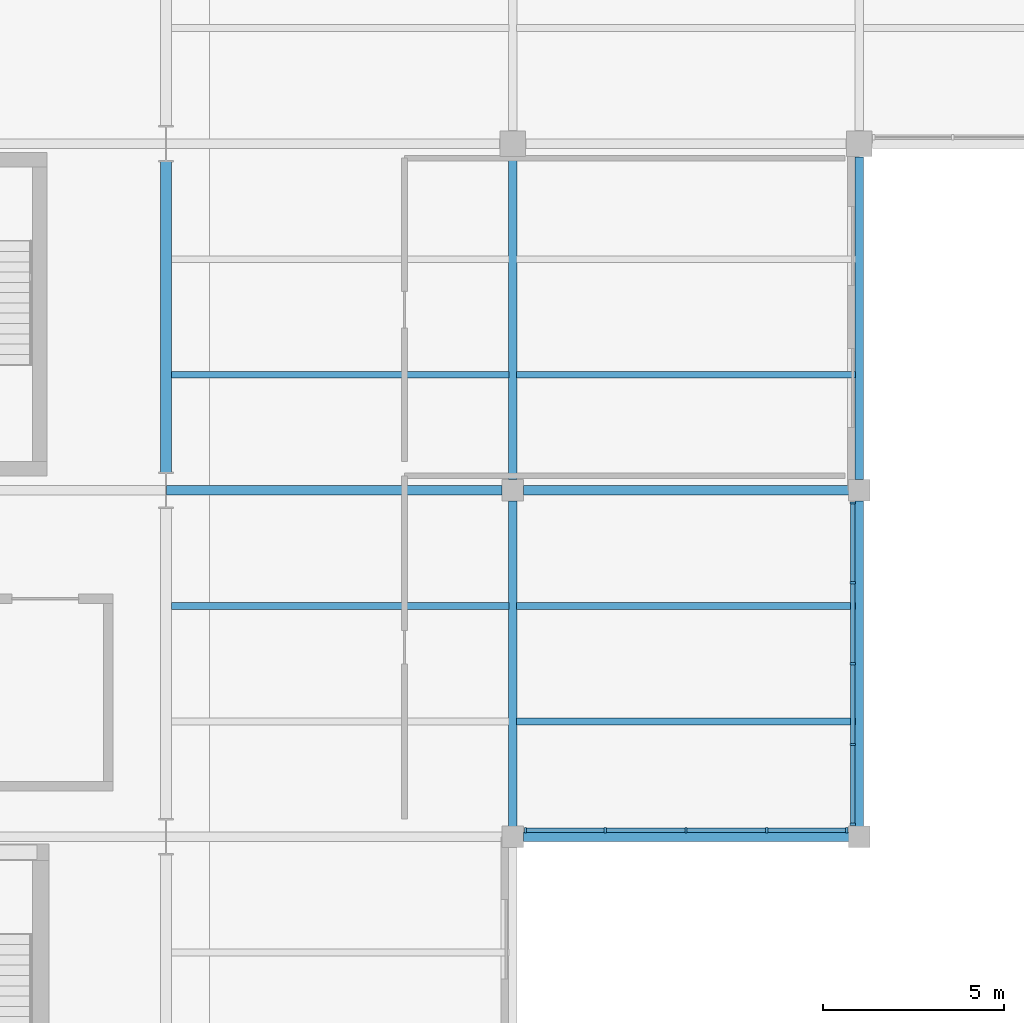
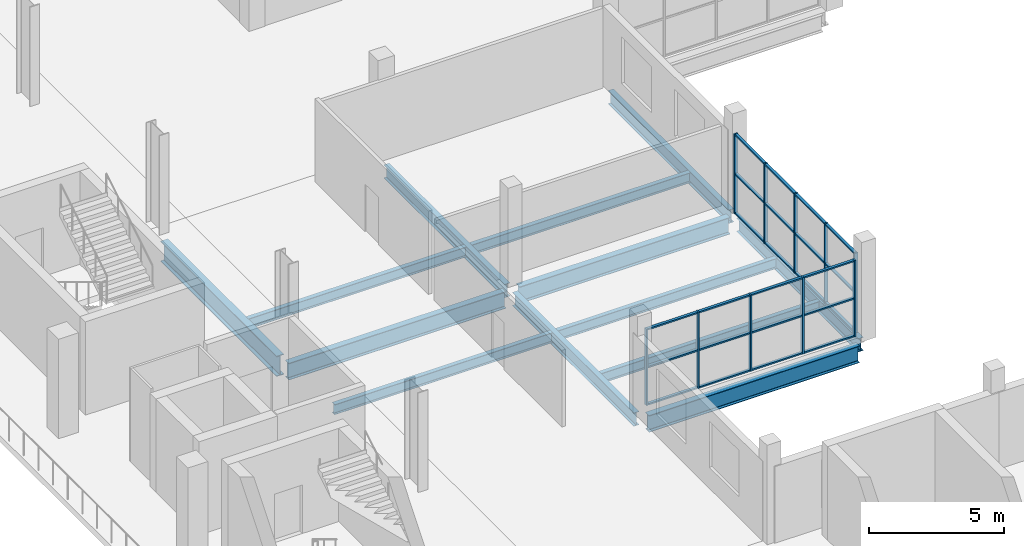
# One storey, part 28 of 92: 34 members, 13 beams, 2 elements without a shape of their own.
"""IFC4 building model written with IfcOpenShell, lengths in metres."""

from ifc_helpers import new_model, si_unit, direction, frame, origin, origin_2d, place, context, subcontext, project, spatial, rectangle, i_section, extrude, material, layer, layer_set, material_profile, profile_set, type_object, element, aggregate, save


model = new_model("IFC4")

# Units and contexts
model_context = context("Model", 3, precision=1e-05, world=origin(), true_north=direction((0.0, 1.0)))
body_context = subcontext(model_context, "Body", "Model", "MODEL_VIEW")
ifc_project = project(units=[si_unit("LENGTHUNIT", "METRE"), si_unit("AREAUNIT", "SQUARE_METRE"), si_unit("VOLUMEUNIT", "CUBIC_METRE"), si_unit("PLANEANGLEUNIT", "RADIAN"), si_unit("MASSUNIT", "GRAM", prefix="KILO")], contexts=[model_context])

# Site, building, storey
site_placement = place(None, origin())
site = spatial("IfcSite", under=ifc_project, at=site_placement, CompositionType="ELEMENT")
building_placement = place(site_placement, origin())
building = spatial("IfcBuilding", under=site, at=building_placement, Name="Caelomonte Colonnade Arena", CompositionType="ELEMENT")
storey_placement = place(building_placement, frame((0.0, 0.0, 9.60009765625)))
storey = spatial("IfcBuildingStorey", under=building, at=storey_placement, Name="L02", CompositionType="ELEMENT", Elevation=9.60009765625)

# Curtain wall, members
ifc_material_1 = material(Name="Bronze anodised aluminium and low-E glazing", Category="aluminium")
ifc_layer_1 = layer(ifc_material_1, 0.179931640625)
ifc_layer_set_1 = layer_set([ifc_layer_1], Name="Bronze anodised aluminium and low-E glazing")
curtain_wall_type_1 = type_object("IfcCurtainWallType", Name="ENV-CW-CW-L02-96-35", PredefinedType="USERDEFINED", material=ifc_layer_set_1)
curtain_wall_1_placement = place(storey_placement, origin())
curtain_wall_1 = element("IfcCurtainWall", 1, at=curtain_wall_1_placement, inside=storey, type_object=curtain_wall_type_1, Name="L02 unitized curtain wall CW-L02-1776-0482", ObjectType="UNITIZED CURTAIN WALL", PredefinedType="USERDEFINED")
ifc_material_2 = material(Name="Bronze anodised aluminium AA6063-T6", Category="aluminium")
ifc_material_profile_1 = material_profile(ifc_material_2, rectangle(XDim=0.06494140625, YDim=0.14990234375, at=origin_2d()), Name="CWM-65X150")
ifc_profile_set_1 = profile_set([ifc_material_profile_1], Name="Bronze anodised aluminium AA6063-T6")
member_type_1 = type_object("IfcMemberType", Name="ENV-CW-MULL2", PredefinedType="MULLION", material=ifc_profile_set_1)
member_1_placement = place(storey_placement, frame((173.152587890625, 48.179931640625, 0.0), z_axis=(0.0, 0.0, 1.0), x_axis=(1.0, 0.0, 0.0)))
member_1 = element("IfcMember", 2, at=member_1_placement, type_object=member_type_1, Name="CW-L02-96-35 mullion 1", PredefinedType="MULLION", context=body_context, shape_type="SweptSolid", body=[
    extrude(rectangle(XDim=0.06494140625, YDim=0.14990234375, at=origin_2d()), origin(), (0.0, 0.0, 1.0), 3.465576171875),
])
member_2_placement = place(storey_placement, frame((175.360107421875, 48.179931640625, 0.0), z_axis=(0.0, 0.0, 1.0), x_axis=(1.0, 0.0, 0.0)))
member_2 = element("IfcMember", 3, at=member_2_placement, type_object=member_type_1, Name="CW-L02-96-35 mullion 2", PredefinedType="MULLION", context=body_context, shape_type="SweptSolid", body=[
    extrude(rectangle(XDim=0.06494140625, YDim=0.14990234375, at=origin_2d()), origin(), (0.0, 0.0, 1.0), 3.465576171875),
])
member_3_placement = place(storey_placement, frame((177.60009765625, 48.179931640625, 0.0), z_axis=(0.0, 0.0, 1.0), x_axis=(1.0, 0.0, 0.0)))
member_3 = element("IfcMember", 4, at=member_3_placement, type_object=member_type_1, Name="CW-L02-96-35 mullion 3", PredefinedType="MULLION", context=body_context, shape_type="SweptSolid", body=[
    extrude(rectangle(XDim=0.06494140625, YDim=0.14990234375, at=origin_2d()), origin(), (0.0, 0.0, 1.0), 3.465576171875),
])
member_4_placement = place(storey_placement, frame((179.840087890625, 48.179931640625, 0.0), z_axis=(0.0, 0.0, 1.0), x_axis=(1.0, 0.0, 0.0)))
member_4 = element("IfcMember", 5, at=member_4_placement, type_object=member_type_1, Name="CW-L02-96-35 mullion 4", PredefinedType="MULLION", context=body_context, shape_type="SweptSolid", body=[
    extrude(rectangle(XDim=0.06494140625, YDim=0.14990234375, at=origin_2d()), origin(), (0.0, 0.0, 1.0), 3.465576171875),
])
member_5_placement = place(storey_placement, frame((182.047607421875, 48.179931640625, 0.0), z_axis=(0.0, 0.0, 1.0), x_axis=(1.0, 0.0, 0.0)))
member_5 = element("IfcMember", 6, at=member_5_placement, type_object=member_type_1, Name="CW-L02-96-35 mullion 5", PredefinedType="MULLION", context=body_context, shape_type="SweptSolid", body=[
    extrude(rectangle(XDim=0.06494140625, YDim=0.14990234375, at=origin_2d()), origin(), (0.0, 0.0, 1.0), 3.465576171875),
])

ifc_layer_2 = layer(ifc_material_1, 0.179931640625)
ifc_layer_set_2 = layer_set([ifc_layer_2], Name="Bronze anodised aluminium and low-E glazing")
curtain_wall_type_2 = type_object("IfcCurtainWallType", Name="ENV-CW-CW-L02-96-36", PredefinedType="USERDEFINED", material=ifc_layer_set_2)
curtain_wall_2_placement = place(storey_placement, origin())
curtain_wall_2 = element("IfcCurtainWall", 7, at=curtain_wall_2_placement, inside=storey, type_object=curtain_wall_type_2, Name="L02 unitized curtain wall CW-L02-1822-0528", ObjectType="UNITIZED CURTAIN WALL", PredefinedType="USERDEFINED")
member_6_placement = place(storey_placement, frame((182.219970703125, 48.3525390625, 0.0), z_axis=(0.0, 0.0, 1.0), x_axis=(0.0, 1.0, 0.0)))
member_6 = element("IfcMember", 8, at=member_6_placement, type_object=member_type_1, Name="CW-L02-96-36 mullion 1", PredefinedType="MULLION", context=body_context, shape_type="SweptSolid", body=[
    extrude(rectangle(XDim=0.06494140625, YDim=0.14990234375, at=origin_2d()), origin(), (0.0, 0.0, 1.0), 3.61279296875),
])
member_7_placement = place(storey_placement, frame((182.219970703125, 50.56005859375, 0.0), z_axis=(0.0, 0.0, 1.0), x_axis=(0.0, 1.0, 0.0)))
member_7 = element("IfcMember", 9, at=member_7_placement, type_object=member_type_1, Name="CW-L02-96-36 mullion 2", PredefinedType="MULLION", context=body_context, shape_type="SweptSolid", body=[
    extrude(rectangle(XDim=0.06494140625, YDim=0.14990234375, at=origin_2d()), origin(), (0.0, 0.0, 1.0), 3.61279296875),
])
member_8_placement = place(storey_placement, frame((182.219970703125, 52.800048828125, 0.0), z_axis=(0.0, 0.0, 1.0), x_axis=(0.0, 1.0, 0.0)))
member_8 = element("IfcMember", 10, at=member_8_placement, type_object=member_type_1, Name="CW-L02-96-36 mullion 3", PredefinedType="MULLION", context=body_context, shape_type="SweptSolid", body=[
    extrude(rectangle(XDim=0.06494140625, YDim=0.14990234375, at=origin_2d()), origin(), (0.0, 0.0, 1.0), 3.61279296875),
])
member_9_placement = place(storey_placement, frame((182.219970703125, 55.0400390625, 0.0), z_axis=(0.0, 0.0, 1.0), x_axis=(0.0, 1.0, 0.0)))
member_9 = element("IfcMember", 11, at=member_9_placement, type_object=member_type_1, Name="CW-L02-96-36 mullion 4", PredefinedType="MULLION", context=body_context, shape_type="SweptSolid", body=[
    extrude(rectangle(XDim=0.06494140625, YDim=0.14990234375, at=origin_2d()), origin(), (0.0, 0.0, 1.0), 3.61279296875),
])
member_10_placement = place(storey_placement, frame((182.219970703125, 57.24755859375, 0.0), z_axis=(0.0, 0.0, 1.0), x_axis=(0.0, 1.0, 0.0)))
member_10 = element("IfcMember", 12, at=member_10_placement, type_object=member_type_1, Name="CW-L02-96-36 mullion 5", PredefinedType="MULLION", context=body_context, shape_type="SweptSolid", body=[
    extrude(rectangle(XDim=0.06494140625, YDim=0.14990234375, at=origin_2d()), origin(), (0.0, 0.0, 1.0), 3.61279296875),
])

# Member
ifc_material_profile_2 = material_profile(ifc_material_2, rectangle(XDim=0.06494140625, YDim=0.1201171875, at=origin_2d()), Name="CWT-65X120")
ifc_profile_set_2 = profile_set([ifc_material_profile_2], Name="Bronze anodised aluminium AA6063-T6")
member_type_2 = type_object("IfcMemberType", Name="ENV-CW-TRAN2", PredefinedType="USERDEFINED", material=ifc_profile_set_2)
member_11_placement = place(storey_placement, frame((173.18505859375, 48.179931640625, 0.032470703125), z_axis=(1.0, 0.0, 0.0), x_axis=(0.0, 0.0, 1.0)))
member_11 = element("IfcMember", 13, at=member_11_placement, type_object=member_type_2, Name="CW-L02-96-35 transom 1.1", ObjectType="TRANSOM", PredefinedType="USERDEFINED", context=body_context, shape_type="SweptSolid", body=[
    extrude(rectangle(XDim=0.06494140625, YDim=0.1201171875, at=origin_2d()), origin(), (0.0, 0.0, 1.0), 2.142333984375),
])

member_12_placement = place(storey_placement, frame((173.18505859375, 48.179931640625, 1.732666015625), z_axis=(1.0, 0.0, 0.0), x_axis=(0.0, 0.0, 1.0)))
member_12 = element("IfcMember", 14, at=member_12_placement, type_object=member_type_2, Name="CW-L02-96-35 transom 1.2", ObjectType="TRANSOM", PredefinedType="USERDEFINED", context=body_context, shape_type="SweptSolid", body=[
    extrude(rectangle(XDim=0.06494140625, YDim=0.1201171875, at=origin_2d()), origin(), (0.0, 0.0, 1.0), 2.142333984375),
])

member_13_placement = place(storey_placement, frame((173.18505859375, 48.179931640625, 3.43310546875), z_axis=(1.0, 0.0, 0.0), x_axis=(0.0, 0.0, 1.0)))
member_13 = element("IfcMember", 15, at=member_13_placement, type_object=member_type_2, Name="CW-L02-96-35 transom 1.3", ObjectType="TRANSOM", PredefinedType="USERDEFINED", context=body_context, shape_type="SweptSolid", body=[
    extrude(rectangle(XDim=0.06494140625, YDim=0.1201171875, at=origin_2d()), origin(), (0.0, 0.0, 1.0), 2.142333984375),
])

member_14_placement = place(storey_placement, frame((175.392578125, 48.179931640625, 0.032470703125), z_axis=(1.0, 0.0, 0.0), x_axis=(0.0, 0.0, 1.0)))
member_14 = element("IfcMember", 16, at=member_14_placement, type_object=member_type_2, Name="CW-L02-96-35 transom 2.1", ObjectType="TRANSOM", PredefinedType="USERDEFINED", context=body_context, shape_type="SweptSolid", body=[
    extrude(rectangle(XDim=0.06494140625, YDim=0.1201171875, at=origin_2d()), origin(), (0.0, 0.0, 1.0), 2.1748046875),
])

member_15_placement = place(storey_placement, frame((175.392578125, 48.179931640625, 1.732666015625), z_axis=(1.0, 0.0, 0.0), x_axis=(0.0, 0.0, 1.0)))
member_15 = element("IfcMember", 17, at=member_15_placement, type_object=member_type_2, Name="CW-L02-96-35 transom 2.2", ObjectType="TRANSOM", PredefinedType="USERDEFINED", context=body_context, shape_type="SweptSolid", body=[
    extrude(rectangle(XDim=0.06494140625, YDim=0.1201171875, at=origin_2d()), origin(), (0.0, 0.0, 1.0), 2.1748046875),
])

member_16_placement = place(storey_placement, frame((175.392578125, 48.179931640625, 3.43310546875), z_axis=(1.0, 0.0, 0.0), x_axis=(0.0, 0.0, 1.0)))
member_16 = element("IfcMember", 18, at=member_16_placement, type_object=member_type_2, Name="CW-L02-96-35 transom 2.3", ObjectType="TRANSOM", PredefinedType="USERDEFINED", context=body_context, shape_type="SweptSolid", body=[
    extrude(rectangle(XDim=0.06494140625, YDim=0.1201171875, at=origin_2d()), origin(), (0.0, 0.0, 1.0), 2.1748046875),
])

member_17_placement = place(storey_placement, frame((177.632568359375, 48.179931640625, 0.032470703125), z_axis=(1.0, 0.0, 0.0), x_axis=(0.0, 0.0, 1.0)))
member_17 = element("IfcMember", 19, at=member_17_placement, type_object=member_type_2, Name="CW-L02-96-35 transom 3.1", ObjectType="TRANSOM", PredefinedType="USERDEFINED", context=body_context, shape_type="SweptSolid", body=[
    extrude(rectangle(XDim=0.06494140625, YDim=0.1201171875, at=origin_2d()), origin(), (0.0, 0.0, 1.0), 2.175048828125),
])

member_18_placement = place(storey_placement, frame((177.632568359375, 48.179931640625, 1.732666015625), z_axis=(1.0, 0.0, 0.0), x_axis=(0.0, 0.0, 1.0)))
member_18 = element("IfcMember", 20, at=member_18_placement, type_object=member_type_2, Name="CW-L02-96-35 transom 3.2", ObjectType="TRANSOM", PredefinedType="USERDEFINED", context=body_context, shape_type="SweptSolid", body=[
    extrude(rectangle(XDim=0.06494140625, YDim=0.1201171875, at=origin_2d()), origin(), (0.0, 0.0, 1.0), 2.175048828125),
])

member_19_placement = place(storey_placement, frame((177.632568359375, 48.179931640625, 3.43310546875), z_axis=(1.0, 0.0, 0.0), x_axis=(0.0, 0.0, 1.0)))
member_19 = element("IfcMember", 21, at=member_19_placement, type_object=member_type_2, Name="CW-L02-96-35 transom 3.3", ObjectType="TRANSOM", PredefinedType="USERDEFINED", context=body_context, shape_type="SweptSolid", body=[
    extrude(rectangle(XDim=0.06494140625, YDim=0.1201171875, at=origin_2d()), origin(), (0.0, 0.0, 1.0), 2.175048828125),
])

member_20_placement = place(storey_placement, frame((179.87255859375, 48.179931640625, 0.032470703125), z_axis=(1.0, 0.0, 0.0), x_axis=(0.0, 0.0, 1.0)))
member_20 = element("IfcMember", 22, at=member_20_placement, type_object=member_type_2, Name="CW-L02-96-35 transom 4.1", ObjectType="TRANSOM", PredefinedType="USERDEFINED", context=body_context, shape_type="SweptSolid", body=[
    extrude(rectangle(XDim=0.06494140625, YDim=0.1201171875, at=origin_2d()), origin(), (0.0, 0.0, 1.0), 2.142333984375),
])

member_21_placement = place(storey_placement, frame((179.87255859375, 48.179931640625, 1.732666015625), z_axis=(1.0, 0.0, 0.0), x_axis=(0.0, 0.0, 1.0)))
member_21 = element("IfcMember", 23, at=member_21_placement, type_object=member_type_2, Name="CW-L02-96-35 transom 4.2", ObjectType="TRANSOM", PredefinedType="USERDEFINED", context=body_context, shape_type="SweptSolid", body=[
    extrude(rectangle(XDim=0.06494140625, YDim=0.1201171875, at=origin_2d()), origin(), (0.0, 0.0, 1.0), 2.142333984375),
])

member_22_placement = place(storey_placement, frame((179.87255859375, 48.179931640625, 3.43310546875), z_axis=(1.0, 0.0, 0.0), x_axis=(0.0, 0.0, 1.0)))
member_22 = element("IfcMember", 24, at=member_22_placement, type_object=member_type_2, Name="CW-L02-96-35 transom 4.3", ObjectType="TRANSOM", PredefinedType="USERDEFINED", context=body_context, shape_type="SweptSolid", body=[
    extrude(rectangle(XDim=0.06494140625, YDim=0.1201171875, at=origin_2d()), origin(), (0.0, 0.0, 1.0), 2.142333984375),
])

aggregate(curtain_wall_1, [member_1, member_2, member_3, member_4, member_5, member_11, member_12, member_13, member_14, member_15, member_16, member_17, member_18, member_19, member_20, member_21, member_22])

member_23_placement = place(storey_placement, frame((182.219970703125, 48.385009765625, 0.032470703125), z_axis=(0.0, 1.0, 0.0), x_axis=(0.0, 0.0, 1.0)))
member_23 = element("IfcMember", 25, at=member_23_placement, type_object=member_type_2, Name="CW-L02-96-36 transom 1.1", ObjectType="TRANSOM", PredefinedType="USERDEFINED", context=body_context, shape_type="SweptSolid", body=[
    extrude(rectangle(XDim=0.06494140625, YDim=0.1201171875, at=origin_2d()), origin(), (0.0, 0.0, 1.0), 2.142578125),
])

member_24_placement = place(storey_placement, frame((182.219970703125, 48.385009765625, 1.806396484375), z_axis=(0.0, 1.0, 0.0), x_axis=(0.0, 0.0, 1.0)))
member_24 = element("IfcMember", 26, at=member_24_placement, type_object=member_type_2, Name="CW-L02-96-36 transom 1.2", ObjectType="TRANSOM", PredefinedType="USERDEFINED", context=body_context, shape_type="SweptSolid", body=[
    extrude(rectangle(XDim=0.06494140625, YDim=0.1201171875, at=origin_2d()), origin(), (0.0, 0.0, 1.0), 2.142578125),
])

member_25_placement = place(storey_placement, frame((182.219970703125, 48.385009765625, 3.580322265625), z_axis=(0.0, 1.0, 0.0), x_axis=(0.0, 0.0, 1.0)))
member_25 = element("IfcMember", 27, at=member_25_placement, type_object=member_type_2, Name="CW-L02-96-36 transom 1.3", ObjectType="TRANSOM", PredefinedType="USERDEFINED", context=body_context, shape_type="SweptSolid", body=[
    extrude(rectangle(XDim=0.06494140625, YDim=0.1201171875, at=origin_2d()), origin(), (0.0, 0.0, 1.0), 2.142578125),
])

member_26_placement = place(storey_placement, frame((182.219970703125, 50.592529296875, 0.032470703125), z_axis=(0.0, 1.0, 0.0), x_axis=(0.0, 0.0, 1.0)))
member_26 = element("IfcMember", 28, at=member_26_placement, type_object=member_type_2, Name="CW-L02-96-36 transom 2.1", ObjectType="TRANSOM", PredefinedType="USERDEFINED", context=body_context, shape_type="SweptSolid", body=[
    extrude(rectangle(XDim=0.06494140625, YDim=0.1201171875, at=origin_2d()), origin(), (0.0, 0.0, 1.0), 2.175048828125),
])

member_27_placement = place(storey_placement, frame((182.219970703125, 50.592529296875, 1.806396484375), z_axis=(0.0, 1.0, 0.0), x_axis=(0.0, 0.0, 1.0)))
member_27 = element("IfcMember", 29, at=member_27_placement, type_object=member_type_2, Name="CW-L02-96-36 transom 2.2", ObjectType="TRANSOM", PredefinedType="USERDEFINED", context=body_context, shape_type="SweptSolid", body=[
    extrude(rectangle(XDim=0.06494140625, YDim=0.1201171875, at=origin_2d()), origin(), (0.0, 0.0, 1.0), 2.175048828125),
])

member_28_placement = place(storey_placement, frame((182.219970703125, 50.592529296875, 3.580322265625), z_axis=(0.0, 1.0, 0.0), x_axis=(0.0, 0.0, 1.0)))
member_28 = element("IfcMember", 30, at=member_28_placement, type_object=member_type_2, Name="CW-L02-96-36 transom 2.3", ObjectType="TRANSOM", PredefinedType="USERDEFINED", context=body_context, shape_type="SweptSolid", body=[
    extrude(rectangle(XDim=0.06494140625, YDim=0.1201171875, at=origin_2d()), origin(), (0.0, 0.0, 1.0), 2.175048828125),
])

member_29_placement = place(storey_placement, frame((182.219970703125, 52.83251953125, 0.032470703125), z_axis=(0.0, 1.0, 0.0), x_axis=(0.0, 0.0, 1.0)))
member_29 = element("IfcMember", 31, at=member_29_placement, type_object=member_type_2, Name="CW-L02-96-36 transom 3.1", ObjectType="TRANSOM", PredefinedType="USERDEFINED", context=body_context, shape_type="SweptSolid", body=[
    extrude(rectangle(XDim=0.06494140625, YDim=0.1201171875, at=origin_2d()), origin(), (0.0, 0.0, 1.0), 2.175048828125),
])

member_30_placement = place(storey_placement, frame((182.219970703125, 52.83251953125, 1.806396484375), z_axis=(0.0, 1.0, 0.0), x_axis=(0.0, 0.0, 1.0)))
member_30 = element("IfcMember", 32, at=member_30_placement, type_object=member_type_2, Name="CW-L02-96-36 transom 3.2", ObjectType="TRANSOM", PredefinedType="USERDEFINED", context=body_context, shape_type="SweptSolid", body=[
    extrude(rectangle(XDim=0.06494140625, YDim=0.1201171875, at=origin_2d()), origin(), (0.0, 0.0, 1.0), 2.175048828125),
])

member_31_placement = place(storey_placement, frame((182.219970703125, 52.83251953125, 3.580322265625), z_axis=(0.0, 1.0, 0.0), x_axis=(0.0, 0.0, 1.0)))
member_31 = element("IfcMember", 33, at=member_31_placement, type_object=member_type_2, Name="CW-L02-96-36 transom 3.3", ObjectType="TRANSOM", PredefinedType="USERDEFINED", context=body_context, shape_type="SweptSolid", body=[
    extrude(rectangle(XDim=0.06494140625, YDim=0.1201171875, at=origin_2d()), origin(), (0.0, 0.0, 1.0), 2.175048828125),
])

member_32_placement = place(storey_placement, frame((182.219970703125, 55.072509765625, 0.032470703125), z_axis=(0.0, 1.0, 0.0), x_axis=(0.0, 0.0, 1.0)))
member_32 = element("IfcMember", 34, at=member_32_placement, type_object=member_type_2, Name="CW-L02-96-36 transom 4.1", ObjectType="TRANSOM", PredefinedType="USERDEFINED", context=body_context, shape_type="SweptSolid", body=[
    extrude(rectangle(XDim=0.06494140625, YDim=0.1201171875, at=origin_2d()), origin(), (0.0, 0.0, 1.0), 2.142578125),
])

member_33_placement = place(storey_placement, frame((182.219970703125, 55.072509765625, 1.806396484375), z_axis=(0.0, 1.0, 0.0), x_axis=(0.0, 0.0, 1.0)))
member_33 = element("IfcMember", 35, at=member_33_placement, type_object=member_type_2, Name="CW-L02-96-36 transom 4.2", ObjectType="TRANSOM", PredefinedType="USERDEFINED", context=body_context, shape_type="SweptSolid", body=[
    extrude(rectangle(XDim=0.06494140625, YDim=0.1201171875, at=origin_2d()), origin(), (0.0, 0.0, 1.0), 2.142578125),
])

member_34_placement = place(storey_placement, frame((182.219970703125, 55.072509765625, 3.580322265625), z_axis=(0.0, 1.0, 0.0), x_axis=(0.0, 0.0, 1.0)))
member_34 = element("IfcMember", 36, at=member_34_placement, type_object=member_type_2, Name="CW-L02-96-36 transom 4.3", ObjectType="TRANSOM", PredefinedType="USERDEFINED", context=body_context, shape_type="SweptSolid", body=[
    extrude(rectangle(XDim=0.06494140625, YDim=0.1201171875, at=origin_2d()), origin(), (0.0, 0.0, 1.0), 2.142578125),
])

aggregate(curtain_wall_2, [member_6, member_7, member_8, member_9, member_10, member_23, member_24, member_25, member_26, member_27, member_28, member_29, member_30, member_31, member_32, member_33, member_34])

# Beams
ifc_material_3 = material(Name="Wide-flange steel ASTM A992 Grade 50", Category="steel")
ifc_material_profile_3 = material_profile(ifc_material_3, i_section(OverallWidth=0.307861328125, OverallDepth=0.927001953125, WebThickness=0.019287109375, FlangeThickness=0.031982421875, FilletRadius=0.020263671875, at=origin_2d()), Name="W36X194")
ifc_profile_set_3 = profile_set([ifc_material_profile_3], Name="Wide-flange steel ASTM A992 Grade 50")
beam_type_1 = type_object("IfcBeamType", Name="STR-BM-EAVES2", PredefinedType="SPANDREL", material=ifc_profile_set_3)
beam_1_placement = place(storey_placement, frame((163.199951171875, 58.097412109375, -0.74365234375), z_axis=(0.0, 1.0, 0.0), x_axis=(-1.0, 0.0, 0.0)))
element("IfcBeam", 37, at=beam_1_placement, inside=storey, type_object=beam_type_1, Name="L02 girder BMY-L02-1632-0576", PredefinedType="SPANDREL", context=body_context, shape_type="SweptSolid", body=[
    extrude(i_section(OverallWidth=0.307861328125, OverallDepth=0.927001953125, WebThickness=0.019287109375, FlangeThickness=0.031982421875, FilletRadius=0.020263671875, at=origin_2d()), origin(), (0.0, 0.0, 1.0), 8.605224609375),
])
ifc_material_profile_4 = material_profile(ifc_material_3, i_section(OverallWidth=0.228271484375, OverallDepth=0.607177734375, WebThickness=0.01123046875, FlangeThickness=0.017333984375, FilletRadius=0.0126953125, at=origin_2d()), Name="W24X76")
ifc_profile_set_4 = profile_set([ifc_material_profile_4], Name="Wide-flange steel ASTM A992 Grade 50")
beam_type_2 = type_object("IfcBeamType", Name="STR-BM-GIRD24", PredefinedType="BEAM", material=ifc_profile_set_4)
beam_2_placement = place(storey_placement, frame((172.800048828125, 48.2919921875, -0.58349609375), z_axis=(0.0, 1.0, 0.0), x_axis=(-1.0, 0.0, 0.0)))
element("IfcBeam", 38, at=beam_2_placement, inside=storey, type_object=beam_type_2, Name="L02 girder BMY-L02-1728-0480", PredefinedType="BEAM", context=body_context, shape_type="SweptSolid", body=[
    extrude(i_section(OverallWidth=0.228271484375, OverallDepth=0.607177734375, WebThickness=0.01123046875, FlangeThickness=0.017333984375, FilletRadius=0.0126953125, at=origin_2d()), origin(), (0.0, 0.0, 1.0), 9.01611328125),
])
beam_3_placement = place(storey_placement, frame((172.800048828125, 57.89208984375, -0.58349609375), z_axis=(0.0, 1.0, 0.0), x_axis=(-1.0, 0.0, 0.0)))
element("IfcBeam", 39, at=beam_3_placement, inside=storey, type_object=beam_type_2, Name="L02 girder BMY-L02-1728-0576", PredefinedType="BEAM", context=body_context, shape_type="SweptSolid", body=[
    extrude(i_section(OverallWidth=0.228271484375, OverallDepth=0.607177734375, WebThickness=0.01123046875, FlangeThickness=0.017333984375, FilletRadius=0.0126953125, at=origin_2d()), origin(), (0.0, 0.0, 1.0), 8.94091796875),
])
beam_4_placement = place(storey_placement, frame((182.39990234375, 48.2919921875, -0.58349609375), z_axis=(0.0, 1.0, 0.0), x_axis=(-1.0, 0.0, 0.0)))
element("IfcBeam", 40, at=beam_4_placement, inside=storey, type_object=beam_type_2, Name="L02 girder BMY-L02-1824-0480", PredefinedType="BEAM", context=body_context, shape_type="SweptSolid", body=[
    extrude(i_section(OverallWidth=0.228271484375, OverallDepth=0.607177734375, WebThickness=0.01123046875, FlangeThickness=0.017333984375, FilletRadius=0.0126953125, at=origin_2d()), origin(), (0.0, 0.0, 1.0), 9.01611328125),
])
beam_5_placement = place(storey_placement, frame((182.39990234375, 57.89208984375, -0.58349609375), z_axis=(0.0, 1.0, 0.0), x_axis=(-1.0, 0.0, 0.0)))
element("IfcBeam", 41, at=beam_5_placement, inside=storey, type_object=beam_type_2, Name="L02 girder BMY-L02-1824-0576", PredefinedType="BEAM", context=body_context, shape_type="SweptSolid", body=[
    extrude(i_section(OverallWidth=0.228271484375, OverallDepth=0.607177734375, WebThickness=0.01123046875, FlangeThickness=0.017333984375, FilletRadius=0.0126953125, at=origin_2d()), origin(), (0.0, 0.0, 1.0), 8.94091796875),
])
ifc_material_profile_5 = material_profile(ifc_material_3, i_section(OverallWidth=0.2666015625, OverallDepth=0.761962890625, WebThickness=0.014404296875, FlangeThickness=0.021484375, FilletRadius=0.0166015625, at=origin_2d()), Name="W30X116")
ifc_profile_set_5 = profile_set([ifc_material_profile_5], Name="Wide-flange steel ASTM A992 Grade 50")
beam_type_3 = type_object("IfcBeamType", Name="STR-BM-GIRD30", PredefinedType="BEAM", material=ifc_profile_set_5)
beam_6_placement = place(storey_placement, frame((173.092041015625, 48.0, -0.6611328125), z_axis=(1.0, 0.0, 0.0), x_axis=(0.0, 1.0, 0.0)))
element("IfcBeam", 42, at=beam_6_placement, inside=storey, type_object=beam_type_3, Name="L02 girder BMX-L02-1728-0480", PredefinedType="BEAM", context=body_context, shape_type="SweptSolid", body=[
    extrude(i_section(OverallWidth=0.2666015625, OverallDepth=0.761962890625, WebThickness=0.014404296875, FlangeThickness=0.021484375, FilletRadius=0.0166015625, at=origin_2d()), origin(), (0.0, 0.0, 1.0), 9.015869140625),
])
beam_7_placement = place(storey_placement, frame((163.2119140625, 57.60009765625, -0.6611328125), z_axis=(1.0, 0.0, 0.0), x_axis=(0.0, 1.0, 0.0)))
element("IfcBeam", 43, at=beam_7_placement, inside=storey, type_object=beam_type_3, Name="L02 girder BMX-L02-1632-0576", PredefinedType="BEAM", context=body_context, shape_type="SweptSolid", body=[
    extrude(i_section(OverallWidth=0.2666015625, OverallDepth=0.761962890625, WebThickness=0.014404296875, FlangeThickness=0.021484375, FilletRadius=0.0166015625, at=origin_2d()), origin(), (0.0, 0.0, 1.0), 9.296142578125),
])
beam_8_placement = place(storey_placement, frame((173.092041015625, 57.60009765625, -0.6611328125), z_axis=(1.0, 0.0, 0.0), x_axis=(0.0, 1.0, 0.0)))
element("IfcBeam", 44, at=beam_8_placement, inside=storey, type_object=beam_type_3, Name="L02 girder BMX-L02-1728-0576", PredefinedType="BEAM", context=body_context, shape_type="SweptSolid", body=[
    extrude(i_section(OverallWidth=0.2666015625, OverallDepth=0.761962890625, WebThickness=0.014404296875, FlangeThickness=0.021484375, FilletRadius=0.0166015625, at=origin_2d()), origin(), (0.0, 0.0, 1.0), 9.015869140625),
])
ifc_material_profile_6 = material_profile(ifc_material_3, i_section(OverallWidth=0.1904296875, OverallDepth=0.457275390625, WebThickness=0.009033203125, FlangeThickness=0.014404296875, FilletRadius=0.01025390625, at=origin_2d()), Name="W18X50")
ifc_profile_set_6 = profile_set([ifc_material_profile_6], Name="Wide-flange steel ASTM A992 Grade 50")
beam_type_4 = type_object("IfcBeamType", Name="STR-BM-JOIST18", PredefinedType="JOIST", material=ifc_profile_set_6)
for number, where, z_axis, x_axis, name in (
    (45, (163.348876953125, 54.39990234375, -0.5087890625), (1.0, 0.0, 0.0), (0.0, 1.0, 0.0), "L02 secondary joist 2"),
    (46, (163.348876953125, 60.800048828125, -0.5087890625), (1.0, 0.0, 0.0), (0.0, 1.0, 0.0), "L02 secondary joist 1"),
):
    element("IfcBeam", number, at=place(storey_placement, frame(where, z_axis=z_axis, x_axis=x_axis)), inside=storey, type_object=beam_type_4, Name=name, PredefinedType="JOIST", context=body_context, shape_type="SweptSolid", body=[
        extrude(i_section(OverallWidth=0.1904296875, OverallDepth=0.457275390625, WebThickness=0.009033203125, FlangeThickness=0.014404296875, FilletRadius=0.01025390625, at=origin_2d()), origin(), (0.0, 0.0, 1.0), 9.342041015625),
    ])
for number, where, z_axis, x_axis, name in (
    (47, (172.9091796875, 51.199951171875, -0.5087890625), (1.0, 0.0, 0.0), (0.0, 1.0, 0.0), "L02 secondary joist 1"),
    (48, (172.9091796875, 54.39990234375, -0.5087890625), (1.0, 0.0, 0.0), (0.0, 1.0, 0.0), "L02 secondary joist 2"),
    (49, (172.9091796875, 60.800048828125, -0.5087890625), (1.0, 0.0, 0.0), (0.0, 1.0, 0.0), "L02 secondary joist 1"),
):
    element("IfcBeam", number, at=place(storey_placement, frame(where, z_axis=z_axis, x_axis=x_axis)), inside=storey, type_object=beam_type_4, Name=name, PredefinedType="JOIST", context=body_context, shape_type="SweptSolid", body=[
        extrude(i_section(OverallWidth=0.1904296875, OverallDepth=0.457275390625, WebThickness=0.009033203125, FlangeThickness=0.014404296875, FilletRadius=0.01025390625, at=origin_2d()), origin(), (0.0, 0.0, 1.0), 9.3818359375),
    ])

save(model, "model.ifc")
